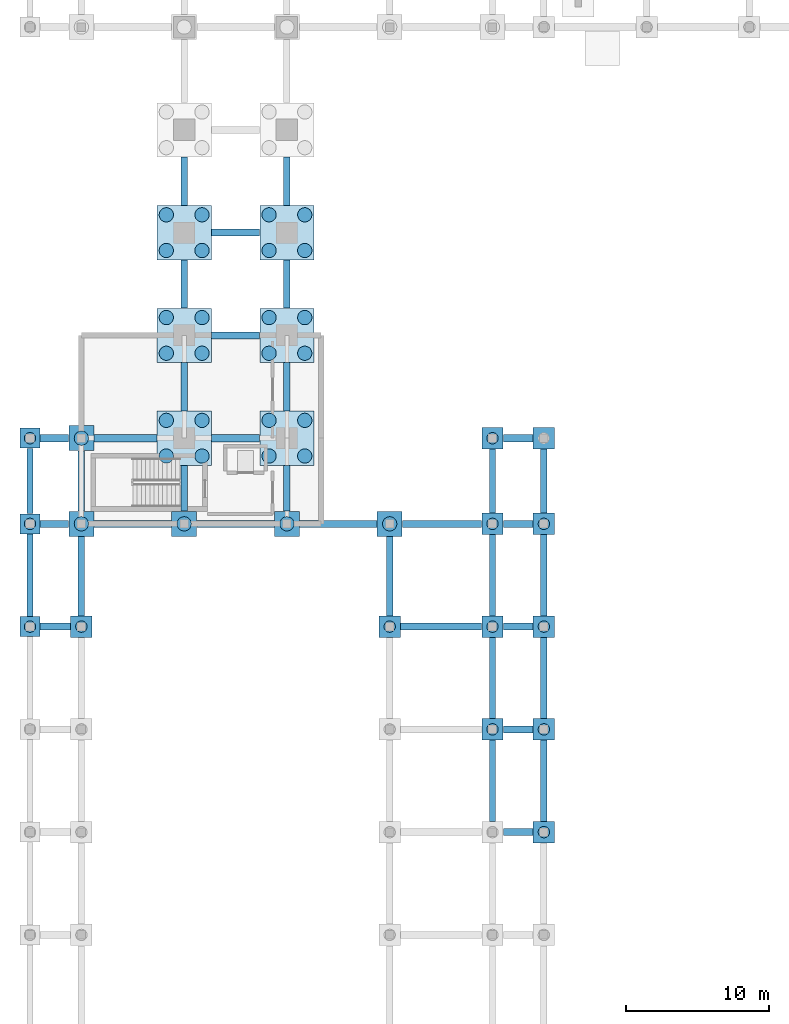
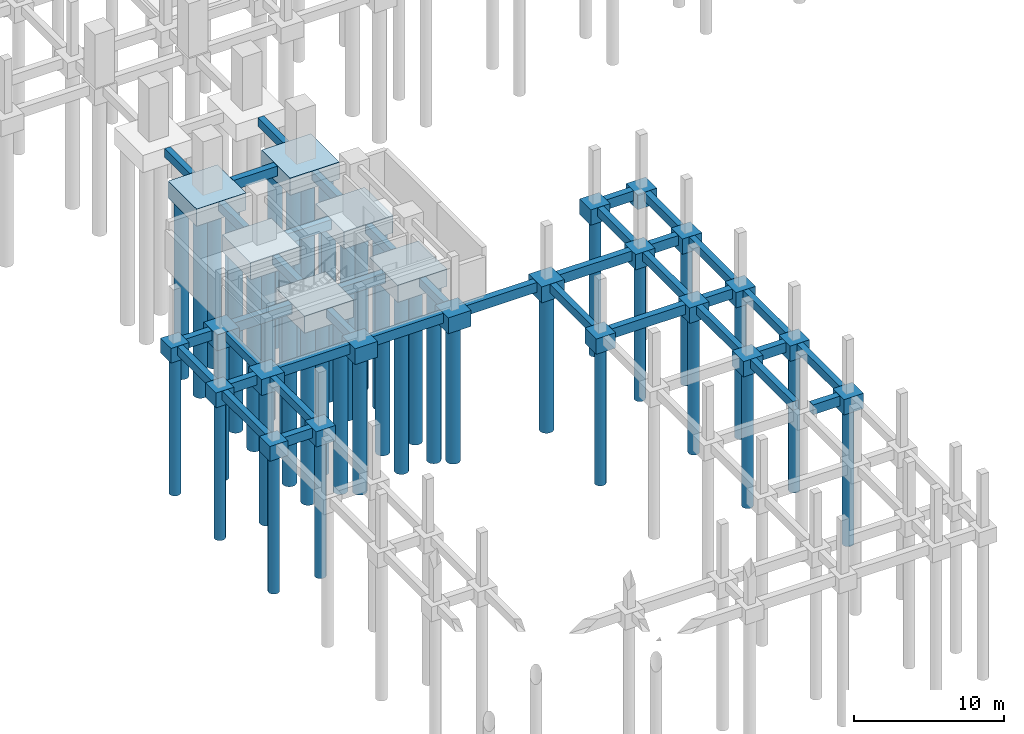
# One storey, part 2 of 20: 63 footings, 42 piles.
"""IFC4 building model written with IfcOpenShell, lengths in metres."""

from ifc_helpers import new_model, si_unit, direction, frame, origin, origin_2d, place, context, subcontext, project, spatial, polyline, rectangle, circle, outline, extrude, material, material_profile, profile_set, type_object, element, save


model = new_model("IFC4")

# Units and contexts
model_context = context("Model", 3, precision=1e-05, world=origin(), true_north=direction((0.0, 1.0)))
body_context = subcontext(model_context, "Body", "Model", "MODEL_VIEW")
ifc_project = project(units=[si_unit("LENGTHUNIT", "METRE"), si_unit("AREAUNIT", "SQUARE_METRE"), si_unit("VOLUMEUNIT", "CUBIC_METRE"), si_unit("PLANEANGLEUNIT", "RADIAN"), si_unit("MASSUNIT", "GRAM", prefix="KILO")], contexts=[model_context])

# Site, building, storey
site_placement = place(None, origin())
site = spatial("IfcSite", under=ifc_project, at=site_placement, CompositionType="ELEMENT")
building_placement = place(site_placement, origin())
building = spatial("IfcBuilding", under=site, at=building_placement, Name="Nzembalo Square Collegiate School", CompositionType="ELEMENT")
storey_placement = place(building_placement, frame((0.0, 0.0, -4.080078125)))
storey = spatial("IfcBuildingStorey", under=building, at=storey_placement, Name="B1", CompositionType="ELEMENT", Elevation=-4.080078125)

# Footings
ifc_material_1 = material(Name="Concrete C35/45", Category="concrete")
footing_type_1 = type_object("IfcFootingType", Name="PC01", PredefinedType="PILE_CAP", material=ifc_material_1)
for number, where, z_axis, x_axis, name in (
    (1, (15.60009765625, 50.39990234375, -1.699951171875), (0.0, 0.0, 1.0), (1.0, 0.0, 0.0), "Pile cap PC01 at 3/H"),
    (2, (15.60009765625, 57.60009765625, -1.699951171875), (0.0, 0.0, 1.0), (1.0, 0.0, 0.0), "Pile cap PC01 at 3/I"),
    (3, (15.60009765625, 64.800048828125, -1.699951171875), (0.0, 0.0, 1.0), (1.0, 0.0, 0.0), "Pile cap PC01 at 3/J"),
    (4, (22.800048828125, 50.39990234375, -1.699951171875), (0.0, 0.0, 1.0), (1.0, 0.0, 0.0), "Pile cap PC01 at 4/H"),
    (5, (22.800048828125, 57.60009765625, -1.699951171875), (0.0, 0.0, 1.0), (1.0, 0.0, 0.0), "Pile cap PC01 at 4/I"),
    (6, (22.800048828125, 64.800048828125, -1.699951171875), (0.0, 0.0, 1.0), (1.0, 0.0, 0.0), "Pile cap PC01 at 4/J"),
):
    element("IfcFooting", number, at=place(storey_placement, frame(where, z_axis=z_axis, x_axis=x_axis)), inside=storey, type_object=footing_type_1, Name=name, PredefinedType="PILE_CAP", context=body_context, shape_type="SweptSolid", body=[
        extrude(rectangle(XDim=3.800048828125, YDim=3.800048828125, at=origin_2d()), origin(), (0.0, 0.0, 1.0), 1.39990234375),
    ])
ifc_material_2 = material(Name="Concrete C35/45", Category="concrete")
footing_type_2 = type_object("IfcFootingType", Name="PC05", PredefinedType="PILE_CAP", material=ifc_material_2)
for number, where, z_axis, x_axis, name in (
    (7, (8.39990234375, 44.39990234375, -1.60009765625), (0.0, 0.0, 1.0), (1.0, 0.0, 0.0), "Pile cap PC05 at 2/G"),
    (8, (8.39990234375, 50.39990234375, -1.60009765625), (0.0, 0.0, 1.0), (1.0, 0.0, 0.0), "Pile cap PC05 at 2/H"),
    (9, (15.60009765625, 44.39990234375, -1.60009765625), (0.0, 0.0, 1.0), (1.0, 0.0, 0.0), "Pile cap PC05 at 3/G"),
    (10, (22.800048828125, 44.39990234375, -1.60009765625), (0.0, 0.0, 1.0), (1.0, 0.0, 0.0), "Pile cap PC05 at 4/G"),
    (11, (30.0, 44.39990234375, -1.60009765625), (0.0, 0.0, 1.0), (1.0, 0.0, 0.0), "Pile cap PC05 at 5/G"),
):
    element("IfcFooting", number, at=place(storey_placement, frame(where, z_axis=z_axis, x_axis=x_axis)), inside=storey, type_object=footing_type_2, Name=name, PredefinedType="PILE_CAP", context=body_context, shape_type="SweptSolid", body=[
        extrude(rectangle(XDim=1.75, YDim=1.75, at=origin_2d()), origin(), (0.0, 0.0, 1.0), 1.300048828125),
    ])
ifc_material_3 = material(Name="Concrete C35/45", Category="concrete")
footing_type_3 = type_object("IfcFootingType", Name="PC06", PredefinedType="PILE_CAP", material=ifc_material_3)
for number, where, z_axis, x_axis, name in (
    (12, (8.39990234375, 37.199951171875, -1.5498046875), (0.0, 0.0, 1.0), (1.0, 0.0, 0.0), "Pile cap PC06 at 2/F"),
    (13, (30.0, 37.199951171875, -1.5498046875), (0.0, 0.0, 1.0), (1.0, 0.0, 0.0), "Pile cap PC06 at 5/F"),
    (14, (37.199951171875, 30.0, -1.5498046875), (0.0, 0.0, 1.0), (1.0, 0.0, 0.0), "Pile cap PC06 at 6/E"),
    (15, (37.199951171875, 37.199951171875, -1.5498046875), (0.0, 0.0, 1.0), (1.0, 0.0, 0.0), "Pile cap PC06 at 6/F"),
    (16, (37.199951171875, 44.39990234375, -1.5498046875), (0.0, 0.0, 1.0), (1.0, 0.0, 0.0), "Pile cap PC06 at 6/G"),
    (17, (37.199951171875, 50.39990234375, -1.5498046875), (0.0, 0.0, 1.0), (1.0, 0.0, 0.0), "Pile cap PC06 at 6/H"),
    (18, (40.800048828125, 22.800048828125, -1.5498046875), (0.0, 0.0, 1.0), (1.0, 0.0, 0.0), "Pile cap PC06 at 7/D"),
    (19, (40.800048828125, 30.0, -1.5498046875), (0.0, 0.0, 1.0), (1.0, 0.0, 0.0), "Pile cap PC06 at 7/E"),
    (20, (40.800048828125, 37.199951171875, -1.5498046875), (0.0, 0.0, 1.0), (1.0, 0.0, 0.0), "Pile cap PC06 at 7/F"),
    (21, (40.800048828125, 44.39990234375, -1.5498046875), (0.0, 0.0, 1.0), (1.0, 0.0, 0.0), "Pile cap PC06 at 7/G"),
    (22, (40.800048828125, 50.39990234375, -1.5498046875), (0.0, 0.0, 1.0), (1.0, 0.0, 0.0), "Pile cap PC06 at 7/H"),
):
    element("IfcFooting", number, at=place(storey_placement, frame(where, z_axis=z_axis, x_axis=x_axis)), inside=storey, type_object=footing_type_3, Name=name, PredefinedType="PILE_CAP", context=body_context, shape_type="SweptSolid", body=[
        extrude(rectangle(XDim=1.5, YDim=1.5, at=origin_2d()), origin(), (0.0, 0.0, 1.0), 1.25),
    ])
ifc_material_4 = material(Name="Concrete C35/45", Category="concrete")
footing_type_4 = type_object("IfcFootingType", Name="PC07", PredefinedType="PILE_CAP", material=ifc_material_4)
for number, where, z_axis, x_axis, name in (
    (23, (4.800048828125, 37.199951171875, -1.5), (0.0, 0.0, 1.0), (1.0, 0.0, 0.0), "Pile cap PC07 at 1/F"),
    (24, (4.800048828125, 44.39990234375, -1.5), (0.0, 0.0, 1.0), (1.0, 0.0, 0.0), "Pile cap PC07 at 1/G"),
    (25, (4.800048828125, 50.39990234375, -1.5), (0.0, 0.0, 1.0), (1.0, 0.0, 0.0), "Pile cap PC07 at 1/H"),
):
    element("IfcFooting", number, at=place(storey_placement, frame(where, z_axis=z_axis, x_axis=x_axis)), inside=storey, type_object=footing_type_4, Name=name, PredefinedType="PILE_CAP", context=body_context, shape_type="SweptSolid", body=[
        extrude(rectangle(XDim=1.39990234375, YDim=1.39990234375, at=origin_2d()), origin(), (0.0, 0.0, 1.0), 1.199951171875),
    ])
ifc_material_5 = material(Name="Concrete C30/37", Category="concrete")
footing_type_5 = type_object("IfcFootingType", Name="FG01", PredefinedType="FOOTING_BEAM", material=ifc_material_5)
footing_1_placement = place(storey_placement, frame((0.0, 0.0, -1.099853515625)))
element("IfcFooting", 26, at=footing_1_placement, inside=storey, type_object=footing_type_5, Name="Ground beam FG01 6-7/D", PredefinedType="FOOTING_BEAM", context=body_context, shape_type="SweptSolid", body=[
    extrude(outline(polyline([(37.9599609375, 22.550048828125), (40.0400390625, 22.550048828125), (40.0400390625, 23.050048828125), (37.9599609375, 23.050048828125), (37.9599609375, 22.550048828125)])), origin(), (0.0, 0.0, 1.0), 0.800048828125),
])
footing_2_placement = place(storey_placement, frame((0.0, 0.0, -1.099853515625)))
element("IfcFooting", 27, at=footing_2_placement, inside=storey, type_object=footing_type_5, Name="Ground beam FG01 6-7/E", PredefinedType="FOOTING_BEAM", context=body_context, shape_type="SweptSolid", body=[
    extrude(outline(polyline([(37.9599609375, 29.75), (40.0400390625, 29.75), (40.0400390625, 30.25), (37.9599609375, 30.25), (37.9599609375, 29.75)])), origin(), (0.0, 0.0, 1.0), 0.800048828125),
])
footing_3_placement = place(storey_placement, frame((0.0, 0.0, -1.099853515625)))
element("IfcFooting", 28, at=footing_3_placement, inside=storey, type_object=footing_type_5, Name="Ground beam FG01 1-2/F", PredefinedType="FOOTING_BEAM", context=body_context, shape_type="SweptSolid", body=[
    extrude(outline(polyline([(5.510009765625, 36.949951171875), (7.639892578125, 36.949951171875), (7.639892578125, 37.449951171875), (5.510009765625, 37.449951171875), (5.510009765625, 36.949951171875)])), origin(), (0.0, 0.0, 1.0), 0.800048828125),
])
footing_4_placement = place(storey_placement, frame((0.0, 0.0, -1.099853515625)))
element("IfcFooting", 29, at=footing_4_placement, inside=storey, type_object=footing_type_5, Name="Ground beam FG01 5-6/F", PredefinedType="FOOTING_BEAM", context=body_context, shape_type="SweptSolid", body=[
    extrude(outline(polyline([(30.760009765625, 36.949951171875), (36.43994140625, 36.949951171875), (36.43994140625, 37.449951171875), (30.760009765625, 37.449951171875), (30.760009765625, 36.949951171875)])), origin(), (0.0, 0.0, 1.0), 0.800048828125),
])
footing_5_placement = place(storey_placement, frame((0.0, 0.0, -1.099853515625)))
element("IfcFooting", 30, at=footing_5_placement, inside=storey, type_object=footing_type_5, Name="Ground beam FG01 6-7/F", PredefinedType="FOOTING_BEAM", context=body_context, shape_type="SweptSolid", body=[
    extrude(outline(polyline([(37.9599609375, 36.949951171875), (40.0400390625, 36.949951171875), (40.0400390625, 37.449951171875), (37.9599609375, 37.449951171875), (37.9599609375, 36.949951171875)])), origin(), (0.0, 0.0, 1.0), 0.800048828125),
])
footing_6_placement = place(storey_placement, frame((0.0, 0.0, -1.099853515625)))
element("IfcFooting", 31, at=footing_6_placement, inside=storey, type_object=footing_type_5, Name="Ground beam FG01 1-2/G", PredefinedType="FOOTING_BEAM", context=body_context, shape_type="SweptSolid", body=[
    extrude(outline(polyline([(5.510009765625, 44.14990234375), (7.514892578125, 44.14990234375), (7.514892578125, 44.64990234375), (5.510009765625, 44.64990234375), (5.510009765625, 44.14990234375)])), origin(), (0.0, 0.0, 1.0), 0.800048828125),
])
footing_7_placement = place(storey_placement, frame((0.0, 0.0, -1.099853515625)))
element("IfcFooting", 32, at=footing_7_placement, inside=storey, type_object=footing_type_5, Name="Ground beam FG01 2-3/G", PredefinedType="FOOTING_BEAM", context=body_context, shape_type="SweptSolid", body=[
    extrude(outline(polyline([(9.284912109375, 44.14990234375), (14.715087890625, 44.14990234375), (14.715087890625, 44.64990234375), (9.284912109375, 44.64990234375), (9.284912109375, 44.14990234375)])), origin(), (0.0, 0.0, 1.0), 0.800048828125),
])
footing_8_placement = place(storey_placement, frame((0.0, 0.0, -1.099853515625)))
element("IfcFooting", 33, at=footing_8_placement, inside=storey, type_object=footing_type_5, Name="Ground beam FG01 3-4/G", PredefinedType="FOOTING_BEAM", context=body_context, shape_type="SweptSolid", body=[
    extrude(outline(polyline([(16.485107421875, 44.14990234375), (21.9150390625, 44.14990234375), (21.9150390625, 44.64990234375), (16.485107421875, 44.64990234375), (16.485107421875, 44.14990234375)])), origin(), (0.0, 0.0, 1.0), 0.800048828125),
])
footing_9_placement = place(storey_placement, frame((0.0, 0.0, -1.099853515625)))
element("IfcFooting", 34, at=footing_9_placement, inside=storey, type_object=footing_type_5, Name="Ground beam FG01 4-5/G", PredefinedType="FOOTING_BEAM", context=body_context, shape_type="SweptSolid", body=[
    extrude(outline(polyline([(23.68505859375, 44.14990234375), (29.114990234375, 44.14990234375), (29.114990234375, 44.64990234375), (23.68505859375, 44.64990234375), (23.68505859375, 44.14990234375)])), origin(), (0.0, 0.0, 1.0), 0.800048828125),
])
footing_10_placement = place(storey_placement, frame((0.0, 0.0, -1.099853515625)))
element("IfcFooting", 35, at=footing_10_placement, inside=storey, type_object=footing_type_5, Name="Ground beam FG01 5-6/G", PredefinedType="FOOTING_BEAM", context=body_context, shape_type="SweptSolid", body=[
    extrude(outline(polyline([(30.885009765625, 44.14990234375), (36.43994140625, 44.14990234375), (36.43994140625, 44.64990234375), (30.885009765625, 44.64990234375), (30.885009765625, 44.14990234375)])), origin(), (0.0, 0.0, 1.0), 0.800048828125),
])
footing_11_placement = place(storey_placement, frame((0.0, 0.0, -1.099853515625)))
element("IfcFooting", 36, at=footing_11_placement, inside=storey, type_object=footing_type_5, Name="Ground beam FG01 6-7/G", PredefinedType="FOOTING_BEAM", context=body_context, shape_type="SweptSolid", body=[
    extrude(outline(polyline([(37.9599609375, 44.14990234375), (40.0400390625, 44.14990234375), (40.0400390625, 44.64990234375), (37.9599609375, 44.64990234375), (37.9599609375, 44.14990234375)])), origin(), (0.0, 0.0, 1.0), 0.800048828125),
])
footing_12_placement = place(storey_placement, frame((0.0, 0.0, -1.099853515625)))
element("IfcFooting", 37, at=footing_12_placement, inside=storey, type_object=footing_type_5, Name="Ground beam FG01 1-2/H", PredefinedType="FOOTING_BEAM", context=body_context, shape_type="SweptSolid", body=[
    extrude(outline(polyline([(5.510009765625, 50.14990234375), (7.514892578125, 50.14990234375), (7.514892578125, 50.64990234375), (5.510009765625, 50.64990234375), (5.510009765625, 50.14990234375)])), origin(), (0.0, 0.0, 1.0), 0.800048828125),
])
footing_13_placement = place(storey_placement, frame((0.0, 0.0, -1.099853515625)))
element("IfcFooting", 38, at=footing_13_placement, inside=storey, type_object=footing_type_5, Name="Ground beam FG01 2-3/H", PredefinedType="FOOTING_BEAM", context=body_context, shape_type="SweptSolid", body=[
    extrude(outline(polyline([(9.284912109375, 50.14990234375), (13.68994140625, 50.14990234375), (13.68994140625, 50.64990234375), (9.284912109375, 50.64990234375), (9.284912109375, 50.14990234375)])), origin(), (0.0, 0.0, 1.0), 0.800048828125),
])
footing_14_placement = place(storey_placement, frame((0.0, 0.0, -1.099853515625)))
element("IfcFooting", 39, at=footing_14_placement, inside=storey, type_object=footing_type_5, Name="Ground beam FG01 3-4/H", PredefinedType="FOOTING_BEAM", context=body_context, shape_type="SweptSolid", body=[
    extrude(outline(polyline([(17.510009765625, 50.14990234375), (20.889892578125, 50.14990234375), (20.889892578125, 50.64990234375), (17.510009765625, 50.64990234375), (17.510009765625, 50.14990234375)])), origin(), (0.0, 0.0, 1.0), 0.800048828125),
])
footing_15_placement = place(storey_placement, frame((0.0, 0.0, -1.099853515625)))
element("IfcFooting", 40, at=footing_15_placement, inside=storey, type_object=footing_type_5, Name="Ground beam FG01 6-7/H", PredefinedType="FOOTING_BEAM", context=body_context, shape_type="SweptSolid", body=[
    extrude(outline(polyline([(37.9599609375, 50.14990234375), (40.0400390625, 50.14990234375), (40.0400390625, 50.64990234375), (37.9599609375, 50.64990234375), (37.9599609375, 50.14990234375)])), origin(), (0.0, 0.0, 1.0), 0.800048828125),
])
footing_16_placement = place(storey_placement, frame((0.0, 0.0, -1.099853515625)))
element("IfcFooting", 41, at=footing_16_placement, inside=storey, type_object=footing_type_5, Name="Ground beam FG01 3-4/I", PredefinedType="FOOTING_BEAM", context=body_context, shape_type="SweptSolid", body=[
    extrude(outline(polyline([(17.510009765625, 57.35009765625), (20.889892578125, 57.35009765625), (20.889892578125, 57.85009765625), (17.510009765625, 57.85009765625), (17.510009765625, 57.35009765625)])), origin(), (0.0, 0.0, 1.0), 0.800048828125),
])
footing_17_placement = place(storey_placement, frame((0.0, 0.0, -1.099853515625)))
element("IfcFooting", 42, at=footing_17_placement, inside=storey, type_object=footing_type_5, Name="Ground beam FG01 3-4/J", PredefinedType="FOOTING_BEAM", context=body_context, shape_type="SweptSolid", body=[
    extrude(outline(polyline([(17.510009765625, 64.550048828125), (20.889892578125, 64.550048828125), (20.889892578125, 65.050048828125), (17.510009765625, 65.050048828125), (17.510009765625, 64.550048828125)])), origin(), (0.0, 0.0, 1.0), 0.800048828125),
])
ifc_material_6 = material(Name="Concrete C30/37", Category="concrete")
footing_type_6 = type_object("IfcFootingType", Name="FG02", PredefinedType="FOOTING_BEAM", material=ifc_material_6)
footing_18_placement = place(storey_placement, frame((0.0, 0.0, -1.0)))
element("IfcFooting", 43, at=footing_18_placement, inside=storey, type_object=footing_type_6, Name="Ground beam FG02 1/F-G", PredefinedType="FOOTING_BEAM", context=body_context, shape_type="SweptSolid", body=[
    extrude(outline(polyline([(4.574951171875, 37.909912109375), (5.02490234375, 37.909912109375), (5.02490234375, 43.68994140625), (4.574951171875, 43.68994140625), (4.574951171875, 37.909912109375)])), origin(), (0.0, 0.0, 1.0), 0.7001953125),
])
footing_19_placement = place(storey_placement, frame((0.0, 0.0, -1.0)))
element("IfcFooting", 44, at=footing_19_placement, inside=storey, type_object=footing_type_6, Name="Ground beam FG02 1/G-H", PredefinedType="FOOTING_BEAM", context=body_context, shape_type="SweptSolid", body=[
    extrude(outline(polyline([(4.574951171875, 45.110107421875), (5.02490234375, 45.110107421875), (5.02490234375, 49.68994140625), (4.574951171875, 49.68994140625), (4.574951171875, 45.110107421875)])), origin(), (0.0, 0.0, 1.0), 0.7001953125),
])
footing_20_placement = place(storey_placement, frame((0.0, 0.0, -1.0)))
element("IfcFooting", 45, at=footing_20_placement, inside=storey, type_object=footing_type_6, Name="Ground beam FG02 2/F-G", PredefinedType="FOOTING_BEAM", context=body_context, shape_type="SweptSolid", body=[
    extrude(outline(polyline([(8.175048828125, 37.9599609375), (8.625, 37.9599609375), (8.625, 43.514892578125), (8.175048828125, 43.514892578125), (8.175048828125, 37.9599609375)])), origin(), (0.0, 0.0, 1.0), 0.7001953125),
])
footing_21_placement = place(storey_placement, frame((0.0, 0.0, -1.0)))
element("IfcFooting", 46, at=footing_21_placement, inside=storey, type_object=footing_type_6, Name="Ground beam FG02 2/G-H", PredefinedType="FOOTING_BEAM", context=body_context, shape_type="SweptSolid", body=[
    extrude(outline(polyline([(8.175048828125, 45.284912109375), (8.625, 45.284912109375), (8.625, 49.514892578125), (8.175048828125, 49.514892578125), (8.175048828125, 45.284912109375)])), origin(), (0.0, 0.0, 1.0), 0.7001953125),
])
footing_22_placement = place(storey_placement, frame((0.0, 0.0, -1.0)))
element("IfcFooting", 47, at=footing_22_placement, inside=storey, type_object=footing_type_6, Name="Ground beam FG02 3/G-H", PredefinedType="FOOTING_BEAM", context=body_context, shape_type="SweptSolid", body=[
    extrude(outline(polyline([(15.375, 45.284912109375), (15.824951171875, 45.284912109375), (15.824951171875, 48.489990234375), (15.375, 48.489990234375), (15.375, 45.284912109375)])), origin(), (0.0, 0.0, 1.0), 0.7001953125),
])
footing_23_placement = place(storey_placement, frame((0.0, 0.0, -1.0)))
element("IfcFooting", 48, at=footing_23_placement, inside=storey, type_object=footing_type_6, Name="Ground beam FG02 3/H-I", PredefinedType="FOOTING_BEAM", context=body_context, shape_type="SweptSolid", body=[
    extrude(outline(polyline([(15.375, 52.31005859375), (15.824951171875, 52.31005859375), (15.824951171875, 55.68994140625), (15.375, 55.68994140625), (15.375, 52.31005859375)])), origin(), (0.0, 0.0, 1.0), 0.7001953125),
])
footing_24_placement = place(storey_placement, frame((0.0, 0.0, -1.0)))
element("IfcFooting", 49, at=footing_24_placement, inside=storey, type_object=footing_type_6, Name="Ground beam FG02 3/I-J", PredefinedType="FOOTING_BEAM", context=body_context, shape_type="SweptSolid", body=[
    extrude(outline(polyline([(15.375, 59.510009765625), (15.824951171875, 59.510009765625), (15.824951171875, 62.889892578125), (15.375, 62.889892578125), (15.375, 59.510009765625)])), origin(), (0.0, 0.0, 1.0), 0.7001953125),
])
footing_25_placement = place(storey_placement, frame((0.0, 0.0, -1.0)))
element("IfcFooting", 50, at=footing_25_placement, inside=storey, type_object=footing_type_6, Name="Ground beam FG02 3/J-K", PredefinedType="FOOTING_BEAM", context=body_context, shape_type="SweptSolid", body=[
    extrude(outline(polyline([(15.375, 66.7099609375), (15.824951171875, 66.7099609375), (15.824951171875, 70.090087890625), (15.375, 70.090087890625), (15.375, 66.7099609375)])), origin(), (0.0, 0.0, 1.0), 0.7001953125),
])
footing_26_placement = place(storey_placement, frame((0.0, 0.0, -1.0)))
element("IfcFooting", 51, at=footing_26_placement, inside=storey, type_object=footing_type_6, Name="Ground beam FG02 4/G-H", PredefinedType="FOOTING_BEAM", context=body_context, shape_type="SweptSolid", body=[
    extrude(outline(polyline([(22.574951171875, 45.284912109375), (23.02490234375, 45.284912109375), (23.02490234375, 48.489990234375), (22.574951171875, 48.489990234375), (22.574951171875, 45.284912109375)])), origin(), (0.0, 0.0, 1.0), 0.7001953125),
])
footing_27_placement = place(storey_placement, frame((0.0, 0.0, -1.0)))
element("IfcFooting", 52, at=footing_27_placement, inside=storey, type_object=footing_type_6, Name="Ground beam FG02 4/H-I", PredefinedType="FOOTING_BEAM", context=body_context, shape_type="SweptSolid", body=[
    extrude(outline(polyline([(22.574951171875, 52.31005859375), (23.02490234375, 52.31005859375), (23.02490234375, 55.68994140625), (22.574951171875, 55.68994140625), (22.574951171875, 52.31005859375)])), origin(), (0.0, 0.0, 1.0), 0.7001953125),
])
footing_28_placement = place(storey_placement, frame((0.0, 0.0, -1.0)))
element("IfcFooting", 53, at=footing_28_placement, inside=storey, type_object=footing_type_6, Name="Ground beam FG02 4/I-J", PredefinedType="FOOTING_BEAM", context=body_context, shape_type="SweptSolid", body=[
    extrude(outline(polyline([(22.574951171875, 59.510009765625), (23.02490234375, 59.510009765625), (23.02490234375, 62.889892578125), (22.574951171875, 62.889892578125), (22.574951171875, 59.510009765625)])), origin(), (0.0, 0.0, 1.0), 0.7001953125),
])
footing_29_placement = place(storey_placement, frame((0.0, 0.0, -1.0)))
element("IfcFooting", 54, at=footing_29_placement, inside=storey, type_object=footing_type_6, Name="Ground beam FG02 4/J-K", PredefinedType="FOOTING_BEAM", context=body_context, shape_type="SweptSolid", body=[
    extrude(outline(polyline([(22.574951171875, 66.7099609375), (23.02490234375, 66.7099609375), (23.02490234375, 70.090087890625), (22.574951171875, 70.090087890625), (22.574951171875, 66.7099609375)])), origin(), (0.0, 0.0, 1.0), 0.7001953125),
])
footing_30_placement = place(storey_placement, frame((0.0, 0.0, -1.0)))
element("IfcFooting", 55, at=footing_30_placement, inside=storey, type_object=footing_type_6, Name="Ground beam FG02 5/F-G", PredefinedType="FOOTING_BEAM", context=body_context, shape_type="SweptSolid", body=[
    extrude(outline(polyline([(29.77490234375, 37.9599609375), (30.22509765625, 37.9599609375), (30.22509765625, 43.514892578125), (29.77490234375, 43.514892578125), (29.77490234375, 37.9599609375)])), origin(), (0.0, 0.0, 1.0), 0.7001953125),
])
footing_31_placement = place(storey_placement, frame((0.0, 0.0, -1.0)))
element("IfcFooting", 56, at=footing_31_placement, inside=storey, type_object=footing_type_6, Name="Ground beam FG02 6/D-E", PredefinedType="FOOTING_BEAM", context=body_context, shape_type="SweptSolid", body=[
    extrude(outline(polyline([(36.97509765625, 23.56005859375), (37.425048828125, 23.56005859375), (37.425048828125, 29.239990234375), (36.97509765625, 29.239990234375), (36.97509765625, 23.56005859375)])), origin(), (0.0, 0.0, 1.0), 0.7001953125),
])
footing_32_placement = place(storey_placement, frame((0.0, 0.0, -1.0)))
element("IfcFooting", 57, at=footing_32_placement, inside=storey, type_object=footing_type_6, Name="Ground beam FG02 6/E-F", PredefinedType="FOOTING_BEAM", context=body_context, shape_type="SweptSolid", body=[
    extrude(outline(polyline([(36.97509765625, 30.760009765625), (37.425048828125, 30.760009765625), (37.425048828125, 36.43994140625), (36.97509765625, 36.43994140625), (36.97509765625, 30.760009765625)])), origin(), (0.0, 0.0, 1.0), 0.7001953125),
])
footing_33_placement = place(storey_placement, frame((0.0, 0.0, -1.0)))
element("IfcFooting", 58, at=footing_33_placement, inside=storey, type_object=footing_type_6, Name="Ground beam FG02 6/F-G", PredefinedType="FOOTING_BEAM", context=body_context, shape_type="SweptSolid", body=[
    extrude(outline(polyline([(36.97509765625, 37.9599609375), (37.425048828125, 37.9599609375), (37.425048828125, 43.639892578125), (36.97509765625, 43.639892578125), (36.97509765625, 37.9599609375)])), origin(), (0.0, 0.0, 1.0), 0.7001953125),
])
footing_34_placement = place(storey_placement, frame((0.0, 0.0, -1.0)))
element("IfcFooting", 59, at=footing_34_placement, inside=storey, type_object=footing_type_6, Name="Ground beam FG02 6/G-H", PredefinedType="FOOTING_BEAM", context=body_context, shape_type="SweptSolid", body=[
    extrude(outline(polyline([(36.97509765625, 45.159912109375), (37.425048828125, 45.159912109375), (37.425048828125, 49.639892578125), (36.97509765625, 49.639892578125), (36.97509765625, 45.159912109375)])), origin(), (0.0, 0.0, 1.0), 0.7001953125),
])
footing_35_placement = place(storey_placement, frame((0.0, 0.0, -1.0)))
element("IfcFooting", 60, at=footing_35_placement, inside=storey, type_object=footing_type_6, Name="Ground beam FG02 7/D-E", PredefinedType="FOOTING_BEAM", context=body_context, shape_type="SweptSolid", body=[
    extrude(outline(polyline([(40.574951171875, 23.56005859375), (41.02490234375, 23.56005859375), (41.02490234375, 29.239990234375), (40.574951171875, 29.239990234375), (40.574951171875, 23.56005859375)])), origin(), (0.0, 0.0, 1.0), 0.7001953125),
])
footing_36_placement = place(storey_placement, frame((0.0, 0.0, -1.0)))
element("IfcFooting", 61, at=footing_36_placement, inside=storey, type_object=footing_type_6, Name="Ground beam FG02 7/E-F", PredefinedType="FOOTING_BEAM", context=body_context, shape_type="SweptSolid", body=[
    extrude(outline(polyline([(40.574951171875, 30.760009765625), (41.02490234375, 30.760009765625), (41.02490234375, 36.43994140625), (40.574951171875, 36.43994140625), (40.574951171875, 30.760009765625)])), origin(), (0.0, 0.0, 1.0), 0.7001953125),
])
footing_37_placement = place(storey_placement, frame((0.0, 0.0, -1.0)))
element("IfcFooting", 62, at=footing_37_placement, inside=storey, type_object=footing_type_6, Name="Ground beam FG02 7/F-G", PredefinedType="FOOTING_BEAM", context=body_context, shape_type="SweptSolid", body=[
    extrude(outline(polyline([(40.574951171875, 37.9599609375), (41.02490234375, 37.9599609375), (41.02490234375, 43.639892578125), (40.574951171875, 43.639892578125), (40.574951171875, 37.9599609375)])), origin(), (0.0, 0.0, 1.0), 0.7001953125),
])
footing_38_placement = place(storey_placement, frame((0.0, 0.0, -1.0)))
element("IfcFooting", 63, at=footing_38_placement, inside=storey, type_object=footing_type_6, Name="Ground beam FG02 7/G-H", PredefinedType="FOOTING_BEAM", context=body_context, shape_type="SweptSolid", body=[
    extrude(outline(polyline([(40.574951171875, 45.159912109375), (41.02490234375, 45.159912109375), (41.02490234375, 49.639892578125), (40.574951171875, 49.639892578125), (40.574951171875, 45.159912109375)])), origin(), (0.0, 0.0, 1.0), 0.7001953125),
])

# Piles
ifc_material_7 = material(Name="Concrete C30/37", Category="concrete")
ifc_material_profile_1 = material_profile(ifc_material_7, circle(Radius=0.5, at=origin_2d()), Name="PILE D1000")
ifc_profile_set_1 = profile_set([ifc_material_profile_1], Name="Concrete C30/37")
pile_type_1 = type_object("IfcPileType", Name="P01", PredefinedType="BORED", material=ifc_profile_set_1)
for number, where, z_axis, x_axis, name in (
    (64, (8.39990234375, 44.39990234375, -1.5), (0.0, 0.0, -1.0), (1.0, 0.0, 0.0), "Bored pile P01-073"),
    (65, (8.39990234375, 50.39990234375, -1.5), (0.0, 0.0, -1.0), (1.0, 0.0, 0.0), "Bored pile P01-074"),
    (66, (15.60009765625, 44.39990234375, -1.5), (0.0, 0.0, -1.0), (1.0, 0.0, 0.0), "Bored pile P01-233"),
):
    element("IfcPile", number, at=place(storey_placement, frame(where, z_axis=z_axis, x_axis=x_axis)), inside=storey, type_object=pile_type_1, Name=name, PredefinedType="BORED", context=body_context, shape_type="SweptSolid", body=[
        extrude(circle(Radius=0.5, at=origin_2d()), origin(), (0.0, 0.0, 1.0), 11.219970703125),
    ])
for number, where, z_axis, x_axis, name in (
    (67, (14.35009765625, 49.14990234375, -1.599853515625), (0.0, 0.0, -1.0), (1.0, 0.0, 0.0), "Bored pile P01-234"),
    (68, (16.85009765625, 49.14990234375, -1.599853515625), (0.0, 0.0, -1.0), (1.0, 0.0, 0.0), "Bored pile P01-235"),
    (69, (14.35009765625, 51.64990234375, -1.599853515625), (0.0, 0.0, -1.0), (1.0, 0.0, 0.0), "Bored pile P01-236"),
    (70, (16.85009765625, 51.64990234375, -1.599853515625), (0.0, 0.0, -1.0), (1.0, 0.0, 0.0), "Bored pile P01-237"),
    (71, (14.35009765625, 56.35009765625, -1.599853515625), (0.0, 0.0, -1.0), (1.0, 0.0, 0.0), "Bored pile P01-238"),
    (72, (16.85009765625, 56.35009765625, -1.599853515625), (0.0, 0.0, -1.0), (1.0, 0.0, 0.0), "Bored pile P01-239"),
    (73, (14.35009765625, 58.85009765625, -1.599853515625), (0.0, 0.0, -1.0), (1.0, 0.0, 0.0), "Bored pile P01-240"),
    (74, (16.85009765625, 58.85009765625, -1.599853515625), (0.0, 0.0, -1.0), (1.0, 0.0, 0.0), "Bored pile P01-241"),
    (75, (14.35009765625, 63.550048828125, -1.599853515625), (0.0, 0.0, -1.0), (1.0, 0.0, 0.0), "Bored pile P01-242"),
    (76, (16.85009765625, 63.550048828125, -1.599853515625), (0.0, 0.0, -1.0), (1.0, 0.0, 0.0), "Bored pile P01-243"),
    (77, (14.35009765625, 66.050048828125, -1.599853515625), (0.0, 0.0, -1.0), (1.0, 0.0, 0.0), "Bored pile P01-244"),
    (78, (16.85009765625, 66.050048828125, -1.599853515625), (0.0, 0.0, -1.0), (1.0, 0.0, 0.0), "Bored pile P01-245"),
):
    element("IfcPile", number, at=place(storey_placement, frame(where, z_axis=z_axis, x_axis=x_axis)), inside=storey, type_object=pile_type_1, Name=name, PredefinedType="BORED", context=body_context, shape_type="SweptSolid", body=[
        extrude(circle(Radius=0.5, at=origin_2d()), origin(), (0.0, 0.0, 1.0), 14.39990234375),
    ])
pile_1_placement = place(storey_placement, frame((22.800048828125, 44.39990234375, -1.5), z_axis=(0.0, 0.0, -1.0), x_axis=(1.0, 0.0, 0.0)))
element("IfcPile", 79, at=pile_1_placement, inside=storey, type_object=pile_type_1, Name="Bored pile P01-258", PredefinedType="BORED", context=body_context, shape_type="SweptSolid", body=[
    extrude(circle(Radius=0.5, at=origin_2d()), origin(), (0.0, 0.0, 1.0), 11.219970703125),
])
for number, where, z_axis, x_axis, name in (
    (80, (21.550048828125, 49.14990234375, -1.599853515625), (0.0, 0.0, -1.0), (1.0, 0.0, 0.0), "Bored pile P01-259"),
    (81, (24.050048828125, 49.14990234375, -1.599853515625), (0.0, 0.0, -1.0), (1.0, 0.0, 0.0), "Bored pile P01-260"),
    (82, (21.550048828125, 51.64990234375, -1.599853515625), (0.0, 0.0, -1.0), (1.0, 0.0, 0.0), "Bored pile P01-261"),
    (83, (24.050048828125, 51.64990234375, -1.599853515625), (0.0, 0.0, -1.0), (1.0, 0.0, 0.0), "Bored pile P01-262"),
    (84, (21.550048828125, 56.35009765625, -1.599853515625), (0.0, 0.0, -1.0), (1.0, 0.0, 0.0), "Bored pile P01-263"),
    (85, (24.050048828125, 56.35009765625, -1.599853515625), (0.0, 0.0, -1.0), (1.0, 0.0, 0.0), "Bored pile P01-264"),
    (86, (21.550048828125, 58.85009765625, -1.599853515625), (0.0, 0.0, -1.0), (1.0, 0.0, 0.0), "Bored pile P01-265"),
    (87, (24.050048828125, 58.85009765625, -1.599853515625), (0.0, 0.0, -1.0), (1.0, 0.0, 0.0), "Bored pile P01-266"),
    (88, (21.550048828125, 63.550048828125, -1.599853515625), (0.0, 0.0, -1.0), (1.0, 0.0, 0.0), "Bored pile P01-267"),
    (89, (24.050048828125, 63.550048828125, -1.599853515625), (0.0, 0.0, -1.0), (1.0, 0.0, 0.0), "Bored pile P01-268"),
    (90, (21.550048828125, 66.050048828125, -1.599853515625), (0.0, 0.0, -1.0), (1.0, 0.0, 0.0), "Bored pile P01-269"),
    (91, (24.050048828125, 66.050048828125, -1.599853515625), (0.0, 0.0, -1.0), (1.0, 0.0, 0.0), "Bored pile P01-270"),
):
    element("IfcPile", number, at=place(storey_placement, frame(where, z_axis=z_axis, x_axis=x_axis)), inside=storey, type_object=pile_type_1, Name=name, PredefinedType="BORED", context=body_context, shape_type="SweptSolid", body=[
        extrude(circle(Radius=0.5, at=origin_2d()), origin(), (0.0, 0.0, 1.0), 14.39990234375),
    ])
pile_2_placement = place(storey_placement, frame((30.0, 44.39990234375, -1.5), z_axis=(0.0, 0.0, -1.0), x_axis=(1.0, 0.0, 0.0)))
element("IfcPile", 92, at=pile_2_placement, inside=storey, type_object=pile_type_1, Name="Bored pile P01-287", PredefinedType="BORED", context=body_context, shape_type="SweptSolid", body=[
    extrude(circle(Radius=0.5, at=origin_2d()), origin(), (0.0, 0.0, 1.0), 11.219970703125),
])
ifc_material_8 = material(Name="Concrete C30/37", Category="concrete")
ifc_material_profile_2 = material_profile(ifc_material_8, circle(Radius=0.39990234375, at=origin_2d()), Name="PILE D800")
ifc_profile_set_2 = profile_set([ifc_material_profile_2], Name="Concrete C30/37")
pile_type_2 = type_object("IfcPileType", Name="P02", PredefinedType="BORED", material=ifc_profile_set_2)
for number, where, z_axis, x_axis, name in (
    (93, (4.800048828125, 37.199951171875, -1.39990234375), (0.0, 0.0, -1.0), (1.0, 0.0, 0.0), "Bored pile P02-006"),
    (94, (4.800048828125, 44.39990234375, -1.39990234375), (0.0, 0.0, -1.0), (1.0, 0.0, 0.0), "Bored pile P02-007"),
    (95, (4.800048828125, 50.39990234375, -1.39990234375), (0.0, 0.0, -1.0), (1.0, 0.0, 0.0), "Bored pile P02-008"),
):
    element("IfcPile", number, at=place(storey_placement, frame(where, z_axis=z_axis, x_axis=x_axis)), inside=storey, type_object=pile_type_2, Name=name, PredefinedType="BORED", context=body_context, shape_type="SweptSolid", body=[
        extrude(circle(Radius=0.39990234375, at=origin_2d()), origin(), (0.0, 0.0, 1.0), 11.320068359375),
    ])
for number, where, z_axis, x_axis, name in (
    (96, (8.39990234375, 37.199951171875, -1.449951171875), (0.0, 0.0, -1.0), (1.0, 0.0, 0.0), "Bored pile P02-072"),
    (97, (30.0, 37.199951171875, -1.449951171875), (0.0, 0.0, -1.0), (1.0, 0.0, 0.0), "Bored pile P02-286"),
    (98, (37.199951171875, 30.0, -1.449951171875), (0.0, 0.0, -1.0), (1.0, 0.0, 0.0), "Bored pile P02-298"),
    (99, (37.199951171875, 37.199951171875, -1.449951171875), (0.0, 0.0, -1.0), (1.0, 0.0, 0.0), "Bored pile P02-299"),
    (100, (37.199951171875, 44.39990234375, -1.449951171875), (0.0, 0.0, -1.0), (1.0, 0.0, 0.0), "Bored pile P02-300"),
    (101, (37.199951171875, 50.39990234375, -1.449951171875), (0.0, 0.0, -1.0), (1.0, 0.0, 0.0), "Bored pile P02-301"),
    (102, (40.800048828125, 22.800048828125, -1.449951171875), (0.0, 0.0, -1.0), (1.0, 0.0, 0.0), "Bored pile P02-311"),
    (103, (40.800048828125, 30.0, -1.449951171875), (0.0, 0.0, -1.0), (1.0, 0.0, 0.0), "Bored pile P02-312"),
    (104, (40.800048828125, 37.199951171875, -1.449951171875), (0.0, 0.0, -1.0), (1.0, 0.0, 0.0), "Bored pile P02-313"),
    (105, (40.800048828125, 44.39990234375, -1.449951171875), (0.0, 0.0, -1.0), (1.0, 0.0, 0.0), "Bored pile P02-314"),
):
    element("IfcPile", number, at=place(storey_placement, frame(where, z_axis=z_axis, x_axis=x_axis)), inside=storey, type_object=pile_type_2, Name=name, PredefinedType="BORED", context=body_context, shape_type="SweptSolid", body=[
        extrude(circle(Radius=0.39990234375, at=origin_2d()), origin(), (0.0, 0.0, 1.0), 11.27001953125),
    ])

save(model, "model.ifc")
